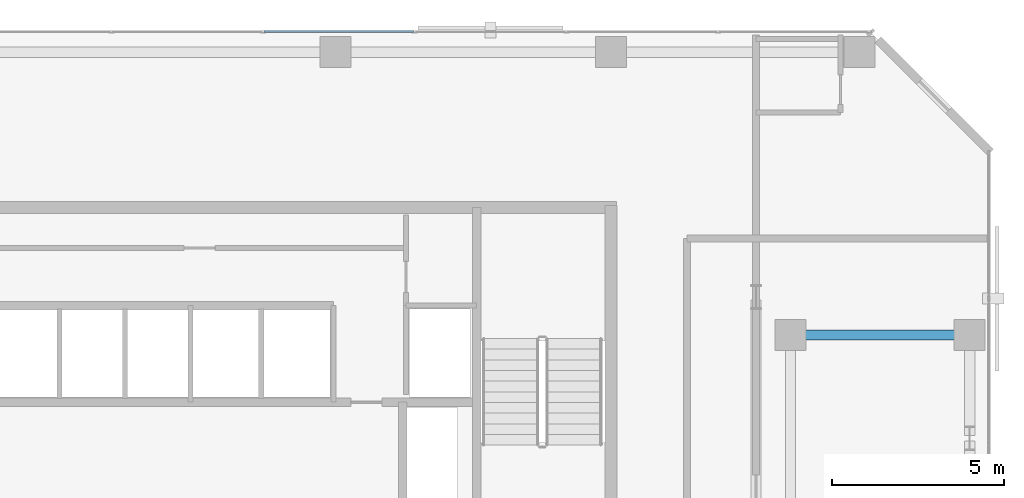
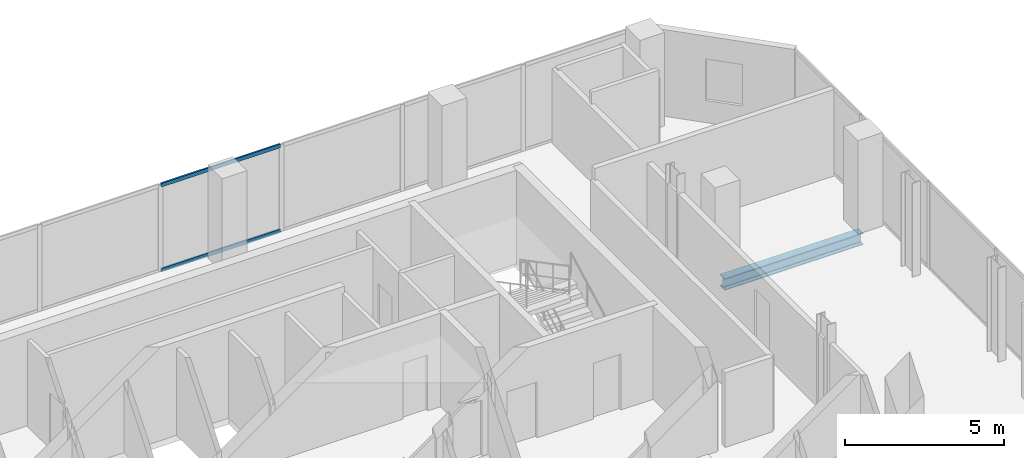
# One storey, part 23 of 34: 2 members, 1 beam, 1 element without a shape of its own.
"""IFC4 building model written with IfcOpenShell, lengths in metres."""

from ifc_helpers import new_model, si_unit, direction, frame, origin, origin_2d, place, context, subcontext, project, spatial, hollow_rectangle, i_section, extrude, material, layer, layer_set, material_profile, profile_set, type_object, element, aggregate, save


model = new_model("IFC4")

# Units and contexts
model_context = context("Model", 3, precision=1e-05, world=origin(), true_north=direction((0.0, 1.0)))
body_context = subcontext(model_context, "Body", "Model", "MODEL_VIEW")
ifc_project = project(units=[si_unit("LENGTHUNIT", "METRE"), si_unit("AREAUNIT", "SQUARE_METRE"), si_unit("VOLUMEUNIT", "CUBIC_METRE"), si_unit("PLANEANGLEUNIT", "RADIAN"), si_unit("MASSUNIT", "GRAM", prefix="KILO")], contexts=[model_context])

# Site, building, storey
site_placement = place(None, origin())
site = spatial("IfcSite", under=ifc_project, at=site_placement, CompositionType="ELEMENT")
building_placement = place(site_placement, origin())
building = spatial("IfcBuilding", under=site, at=building_placement, Name="Catumbela Crestline Tower", CompositionType="ELEMENT")
storey_placement = place(building_placement, frame((0.0, 0.0, 111.6)))
storey = spatial("IfcBuildingStorey", under=building, at=storey_placement, Name="L28", CompositionType="ELEMENT", Elevation=111.6)

# Beam
ifc_material_1 = material(Name="Structural steel S355J2", Category="steel")
ifc_material_profile_1 = material_profile(ifc_material_1, i_section(OverallWidth=0.3, OverallDepth=0.45, WebThickness=0.014, FlangeThickness=0.026, FilletRadius=0.027, at=origin_2d()), Name="HEB 450")
ifc_profile_set_1 = profile_set([ifc_material_profile_1], Name="Structural steel S355J2")
beam_type = type_object("IfcBeamType", Name="BG-HEB450", PredefinedType="BEAM", material=ifc_profile_set_1)
beam_placement = place(storey_placement, frame((45.28, 39.2, -0.485), z_axis=(1.0, 0.0, 0.0), x_axis=(0.0, 1.0, 0.0)))
element("IfcBeam", 1, at=beam_placement, inside=storey, type_object=beam_type, Name="L28 Beam BM-L28-N16", PredefinedType="BEAM", context=body_context, shape_type="SweptSolid", body=[
    extrude(i_section(OverallWidth=0.3, OverallDepth=0.45, WebThickness=0.014, FlangeThickness=0.026, FilletRadius=0.027, at=origin_2d()), origin(), (0.0, 0.0, 1.0), 5.04),
])

# Curtain wall, members
ifc_material_2 = material(Name="Aluminium alloy AW-6060-T66", Category="aluminium")
ifc_layer = layer(ifc_material_2, 0.18, Name="Aluminium alloy AW-6060-T66")
ifc_layer_set = layer_set([ifc_layer], Name="Aluminium alloy AW-6060-T66")
curtain_wall_type = type_object("IfcCurtainWallType", Name="CWU-Z2", PredefinedType="USERDEFINED", material=ifc_layer_set)
curtain_wall_placement = place(storey_placement, origin())
curtain_wall = element("IfcCurtainWall", 2, at=curtain_wall_placement, inside=storey, type_object=curtain_wall_type, Name="L28 Unitised Curtain Wall CW-L28-E7S1", ObjectType="UNITISED", PredefinedType="USERDEFINED")
ifc_material_profile_2 = material_profile(ifc_material_2, hollow_rectangle(XDim=0.06, YDim=0.14, WallThickness=0.004, at=origin_2d()), Name="ALU 140x60x4")
ifc_profile_set_2 = profile_set([ifc_material_profile_2], Name="Aluminium alloy AW-6060-T66")
member_type = type_object("IfcMemberType", Name="TRN-140X60", PredefinedType="USERDEFINED", material=ifc_profile_set_2)
member_1_placement = place(storey_placement, frame((34.2675, 48.0, 0.03), z_axis=(-1.0, 0.0, 0.0), x_axis=(0.0, -1.0, 0.0)))
member_1 = element("IfcMember", 3, at=member_1_placement, type_object=member_type, Name="CWU-Z2 transom 4.1", ObjectType="TRANSOM", PredefinedType="USERDEFINED", context=body_context, shape_type="SweptSolid", body=[
    extrude(hollow_rectangle(XDim=0.06, YDim=0.14, WallThickness=0.004, at=origin_2d()), origin(), (0.0, 0.0, 1.0), 4.335),
])
member_2_placement = place(storey_placement, frame((34.2675, 48.0, 3.3), z_axis=(-1.0, 0.0, 0.0), x_axis=(0.0, -1.0, 0.0)))
member_2 = element("IfcMember", 4, at=member_2_placement, type_object=member_type, Name="CWU-Z2 transom 4.2", ObjectType="TRANSOM", PredefinedType="USERDEFINED", context=body_context, shape_type="SweptSolid", body=[
    extrude(hollow_rectangle(XDim=0.06, YDim=0.14, WallThickness=0.004, at=origin_2d()), origin(), (0.0, 0.0, 1.0), 4.335),
])
aggregate(curtain_wall, [member_1, member_2])

save(model, "model.ifc")
